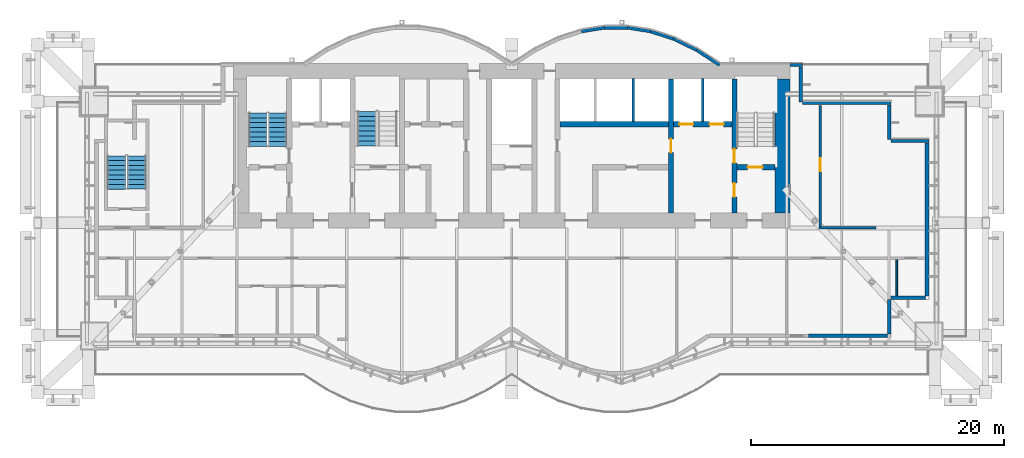
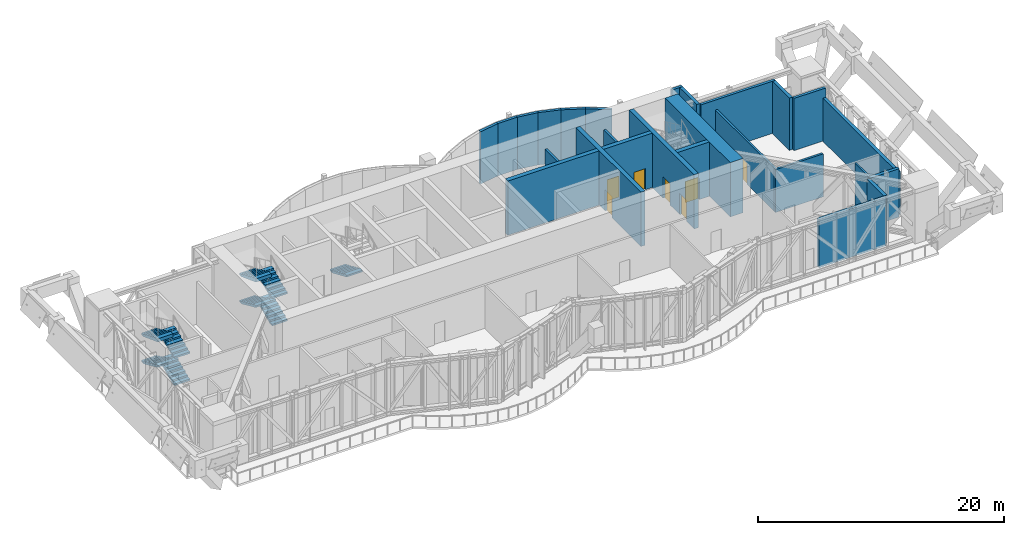
# One storey, part 16 of 20: 25 walls, 9 stair flights, 7 doors, 7 openings, 3 elements without a shape of their own.
"""IFC4 building model written with IfcOpenShell, lengths in metres."""

import ifcopenshell
import ifcopenshell.guid

model = None  # the IFC model being written
_history = None  # IfcOwnerHistory: only IFC2X3 demands one
_inside = {}  # id of a spatial element -> (the spatial element, [elements in it])
_under = {}  # id of a project, library or spatial element -> (it, [spatial elements below it])
_declared = {}  # id of a project -> (the project, [libraries it declares])
_typed = {}  # id of a type object -> (the type object, [elements of that type])
_made_of = {}  # id of a material, layer set ... -> (it, [elements and type objects made of it])


def new_model(schema):
    """Start an empty IFC model of exactly this schema.

    Asked for "IFC4X3", IfcOpenShell would pick the latest addendum, in which some entities
    have other attributes; the version numbers below select the first issue.
    IFC2X3 requires an IfcOwnerHistory on every rooted entity: one is made here for all.
    """
    global model, _history
    if schema == "IFC4X3":
        model = ifcopenshell.file(schema_version=(4, 3, 0, 0))
    else:
        model = ifcopenshell.file(schema=schema)
    _inside.clear()
    _under.clear()
    _declared.clear()
    _typed.clear()
    _made_of.clear()
    _history = None
    if model.schema == "IFC2X3":
        org = make("IfcOrganization", Name="unknown")
        user = make(
            "IfcPersonAndOrganization",
            ThePerson=make("IfcPerson", FamilyName="unknown"),
            TheOrganization=org,
        )
        app = make(
            "IfcApplication",
            ApplicationDeveloper=org,
            Version="unknown",
            ApplicationFullName="unknown",
            ApplicationIdentifier="unknown",
        )
        _history = make(
            "IfcOwnerHistory",
            OwningUser=user,
            OwningApplication=app,
            ChangeAction="ADDED",
            CreationDate=0,
        )
    return model


def make(cls, **values):
    """One entity of the class cls with the attributes given. An attribute that is None is left unset."""
    return model.create_entity(
        cls, **{name: value for name, value in values.items() if value is not None}
    )


def rooted(cls, **values):
    """An entity with a GlobalId (a new one), such as an element, a storey or a relation."""
    return make(cls, GlobalId=ifcopenshell.guid.new(), OwnerHistory=_history, **values)


def si_unit(unit_type, name, prefix=None):
    """IfcSIUnit, for example si_unit("LENGTHUNIT", "METRE", prefix="MILLI")."""
    return make("IfcSIUnit", UnitType=unit_type, Prefix=prefix, Name=name)


def assignment(units):
    """IfcUnitAssignment: the units of a project."""
    return None if units is None else make("IfcUnitAssignment", Units=units)


def point(xyz):
    """IfcCartesianPoint."""
    return None if xyz is None else make("IfcCartesianPoint", Coordinates=xyz)


def direction(xyz):
    """IfcDirection."""
    return None if xyz is None else make("IfcDirection", DirectionRatios=xyz)


def frame(location, z_axis=None, x_axis=None):
    """IfcAxis2Placement3D, a coordinate frame: its origin and axes. An axis left out is left unset."""
    return make(
        "IfcAxis2Placement3D",
        Location=point(location),
        Axis=direction(z_axis),
        RefDirection=direction(x_axis),
    )


def frame_2d(location, x_axis=None):
    """IfcAxis2Placement2D, a coordinate frame in the plane: its origin and x axis."""
    return make(
        "IfcAxis2Placement2D", Location=point(location), RefDirection=direction(x_axis)
    )


def origin():
    """The frame at (0, 0, 0) with its axes left unset."""
    return frame((0.0, 0.0, 0.0))


def place(relative_to, where):
    """IfcLocalPlacement: puts the frame where relative to a parent placement (None: the world)."""
    return make(
        "IfcLocalPlacement", PlacementRelTo=relative_to, RelativePlacement=where
    )


def context(
    kind, dimensions, precision=None, world=None, true_north=None, identifier=None
):
    """IfcGeometricRepresentationContext, for example the 3D "Model" context."""
    return make(
        "IfcGeometricRepresentationContext",
        ContextIdentifier=identifier,
        ContextType=kind,
        CoordinateSpaceDimension=dimensions,
        Precision=precision,
        WorldCoordinateSystem=world,
        TrueNorth=true_north,
    )


def subcontext(parent, identifier, kind, view, scale=None):
    """IfcGeometricRepresentationSubContext, for example "Body" below "Model"."""
    return make(
        "IfcGeometricRepresentationSubContext",
        ContextIdentifier=identifier,
        ContextType=kind,
        ParentContext=parent,
        TargetScale=scale,
        TargetView=view,
    )


def project(units=None, contexts=None):
    """IfcProject with its units and contexts."""
    return rooted(
        "IfcProject",
        Name="project",
        RepresentationContexts=contexts,
        UnitsInContext=assignment(units),
    )


def spatial(cls, under=None, at=None, **own):
    """A site, building, storey or space (cls), placed at a placement, below another one or the project."""
    s = rooted(cls, ObjectPlacement=at, **own)
    if under is not None:
        _under.setdefault(under.id(), (under, []))[1].append(s)
    return s


def polyline(points):
    """IfcPolyline through the points."""
    return make("IfcPolyline", Points=[point(p) for p in points])


def profile(cls, at=None, kind="AREA", **sizes):
    """A parametric profile (cls). Its sizes go by their IFC names, for example OverallWidth=200.0."""
    return make(cls, ProfileType=kind, Position=at, **sizes)


def rectangle(**sizes):
    """IfcRectangleProfileDef."""
    return profile("IfcRectangleProfileDef", **sizes)


def outline(outer, holes=None, kind="AREA"):
    """IfcArbitraryClosedProfileDef: a profile drawn as a closed curve; with holes, ...WithVoids."""
    if holes is None:
        return make("IfcArbitraryClosedProfileDef", ProfileType=kind, OuterCurve=outer)
    return make(
        "IfcArbitraryProfileDefWithVoids",
        ProfileType=kind,
        OuterCurve=outer,
        InnerCurves=holes,
    )


def extrude(swept, where, along, depth):
    """IfcExtrudedAreaSolid: the profile swept, set in the frame where, extruded along a direction by depth."""
    return make(
        "IfcExtrudedAreaSolid",
        SweptArea=swept,
        Position=where,
        ExtrudedDirection=direction(along),
        Depth=depth,
    )


def shape(context_of_items, identifier, shape_type, items):
    """IfcShapeRepresentation: the items that make up one representation, for example the "Body"."""
    return make(
        "IfcShapeRepresentation",
        ContextOfItems=context_of_items,
        RepresentationIdentifier=identifier,
        RepresentationType=shape_type,
        Items=items,
    )


def material(Name=None, Category=None):
    """IfcMaterial."""
    return make("IfcMaterial", Name=Name, Category=Category)


def layer(
    of_material, thickness, ventilated=None, Name=None, Category=None, Priority=None
):
    """IfcMaterialLayer: one layer of a wall or slab, of a material (None: an air gap)."""
    return make(
        "IfcMaterialLayer",
        Material=of_material,
        LayerThickness=thickness,
        IsVentilated=ventilated,
        Name=Name,
        Category=Category,
        Priority=Priority,
    )


def layer_set(layers, Name=None):
    """IfcMaterialLayerSet."""
    return make("IfcMaterialLayerSet", MaterialLayers=layers, LayerSetName=Name)


def layer_usage(for_layer_set, set_direction, sense, offset, extent=None):
    """IfcMaterialLayerSetUsage: how a layer set lies in its element."""
    return make(
        "IfcMaterialLayerSetUsage",
        ForLayerSet=for_layer_set,
        LayerSetDirection=set_direction,
        DirectionSense=sense,
        OffsetFromReferenceLine=offset,
        ReferenceExtent=extent,
    )


def made_of(thing, what):
    """Note that an element or type object is made of a material, layer set ...; save() writes the relation."""
    if what is not None:
        _made_of.setdefault(what.id(), (what, []))[1].append(thing)
    return thing


def type_object(cls, material=None, **own):
    """A type object (cls), such as IfcWallType, which elements share."""
    return made_of(rooted(cls, **own), material)


def element(
    cls,
    number,
    at=None,
    inside=None,
    cuts=None,
    type_object=None,
    material=None,
    context=None,
    identifier="Body",
    shape_type=None,
    held_by="IfcProductDefinitionShape",
    body=None,
    shapes=None,
    **own,
):
    """One element of the class cls, such as IfcWall. Its Tag is "e" and its number.

    at: its placement. inside: the storey or other place that contains it. cuts: it is an
    opening in that element (IfcRelVoidsElement). A single representation is given by context,
    identifier, shape_type and body (its items); several are given by shapes. held_by: the class
    of the entity that holds the representations. save() writes the other relations.
    """
    e = rooted(cls, Tag="e%d" % number, ObjectPlacement=at, **own)
    if body is not None:
        shapes = [shape(context, identifier, shape_type, body)]
    if shapes is not None:
        e.Representation = make(held_by, Representations=shapes)
    if inside is not None:
        _inside.setdefault(inside.id(), (inside, []))[1].append(e)
    if cuts is not None:
        rooted(
            "IfcRelVoidsElement", RelatingBuildingElement=cuts, RelatedOpeningElement=e
        )
    if type_object is not None:
        _typed.setdefault(type_object.id(), (type_object, []))[1].append(e)
    return made_of(e, material)


def fill(opening, filler):
    """IfcRelFillsElement: the door or window that sits in an opening."""
    return rooted(
        "IfcRelFillsElement",
        RelatingOpeningElement=opening,
        RelatedBuildingElement=filler,
    )


def aggregate(whole, parts):
    """IfcRelAggregates: a whole, such as a stair, and the parts it consists of."""
    return rooted("IfcRelAggregates", RelatingObject=whole, RelatedObjects=parts)


def save(model, path):
    """Write the relations noted so far, then the file.

    IfcRelAggregates (storeys below a building ...), IfcRelContainedInSpatialStructure (elements
    in a storey), IfcRelDefinesByType, IfcRelAssociatesMaterial and IfcRelDeclares: one each for
    every whole, place, type object, material and project.
    """
    for whole, parts in _under.values():
        aggregate(whole, parts)
    for where, things in _inside.values():
        rooted(
            "IfcRelContainedInSpatialStructure",
            RelatedElements=things,
            RelatingStructure=where,
        )
    for kind, things in _typed.values():
        rooted("IfcRelDefinesByType", RelatedObjects=things, RelatingType=kind)
    for what, things in _made_of.values():
        rooted("IfcRelAssociatesMaterial", RelatedObjects=things, RelatingMaterial=what)
    for by, libraries in _declared.values():
        rooted("IfcRelDeclares", RelatingContext=by, RelatedDefinitions=libraries)
    model.write(path)


model = new_model("IFC4")

# Units and contexts
model_context = context("Model", 3, precision=1e-05, world=origin(), true_north=direction((0.0, 1.0)))
body_context = subcontext(model_context, "Body", "Model", "MODEL_VIEW")
ifc_project = project(units=[si_unit("LENGTHUNIT", "METRE"), si_unit("AREAUNIT", "SQUARE_METRE"), si_unit("VOLUMEUNIT", "CUBIC_METRE"), si_unit("PLANEANGLEUNIT", "RADIAN"), si_unit("MASSUNIT", "GRAM", prefix="KILO")], contexts=[model_context])

# Site, building, storey
site_placement = place(None, origin())
site = spatial("IfcSite", under=ifc_project, at=site_placement, CompositionType="ELEMENT")
building_placement = place(site_placement, origin())
building = spatial("IfcBuilding", under=site, at=building_placement, Name="Bicima Exchange Tower", CompositionType="ELEMENT")
storey_placement = place(building_placement, frame((0.0, 0.0, 342.5)))
storey = spatial("IfcBuildingStorey", under=building, at=storey_placement, Name="L77", CompositionType="ELEMENT", Elevation=342.5)

# Walls
ifc_material_1 = material(Name="Gypsum board partition")
ifc_layer_1 = layer(ifc_material_1, 0.199951171875)
ifc_layer_set_1 = layer_set([ifc_layer_1], Name="Gypsum board partition")
wall_type_1 = type_object("IfcWallType", Name="Fire-rated gypsum partition 200 EI120", PredefinedType="PARTITIONING", material=ifc_layer_set_1)
for number, where, z_axis, x_axis, name in (
    (1, (9.60009765625, -4.60009765625, 0.0), (0.0, 0.0, 1.0), (0.0, 1.0, 0.0), "partition wall 21"),
    (2, (15.10009765625, -4.60009765625, 0.0), (0.0, 0.0, 1.0), (0.0, 1.0, 0.0), "partition wall 23"),
):
    element("IfcWall", number, at=place(storey_placement, frame(where, z_axis=z_axis, x_axis=x_axis)), inside=storey, type_object=wall_type_1, Name=name, PredefinedType="PARTITIONING", context=body_context, shape_type="SweptSolid", body=[
        extrude(rectangle(XDim=3.400146484375, YDim=0.199951171875, at=frame_2d((1.7001953125, 0.0))), origin(), (0.0, 0.0, 1.0), 4.268310546875),
    ])
ifc_layer_2 = layer(ifc_material_1, 0.199951171875)
ifc_layer_set_2 = layer_set([ifc_layer_2], Name="Gypsum board partition")
wall_type_2 = type_object("IfcWallType", Name="Fire-rated gypsum partition 200 EI60", PredefinedType="PARTITIONING", material=ifc_layer_set_2)
wall_1_placement = place(storey_placement, frame((24.300048828125, -13.0, 0.0), z_axis=(0.0, 0.0, 1.0), x_axis=(1.0, 0.0, 0.0)))
element("IfcWall", 3, at=wall_1_placement, inside=storey, type_object=wall_type_2, Name="partition wall 5", PredefinedType="PARTITIONING", context=body_context, shape_type="SweptSolid", body=[
    extrude(rectangle(XDim=4.5, YDim=0.199951171875, at=frame_2d((2.25, 0.0))), origin(), (0.0, 0.0, 1.0), 4.268310546875),
])

# Wall, opening, door
wall_2_placement = place(storey_placement, frame((24.39990234375, -12.89990234375, 0.0), z_axis=(0.0, 0.0, 1.0), x_axis=(0.0, 1.0, 0.0)))
wall_2 = element("IfcWall", 4, at=wall_2_placement, inside=storey, type_object=wall_type_2, Name="partition wall 20", PredefinedType="PARTITIONING", context=body_context, shape_type="SweptSolid", body=[
    extrude(rectangle(XDim=9.599853515625, YDim=0.199951171875, at=frame_2d((4.7998046875, 0.0))), origin(), (0.0, 0.0, 1.0), 4.268310546875),
])
opening_1_placement = place(wall_2_placement, frame((4.39990234375, 0.0, 0.0)))
opening_1 = element("IfcOpeningElement", 5, at=opening_1_placement, cuts=wall_2, Name="Opening L77-004", PredefinedType="OPENING", context=body_context, shape_type="SweptSolid", body=[
    extrude(rectangle(XDim=1.0, YDim=2.10009765625, at=frame_2d((0.5, 1.050048828125))), frame((0.0, 0.11181640625, 0.0), z_axis=(0.0, -1.0, 0.0), x_axis=(1.0, 0.0, 0.0)), (0.0, 0.0, 1.0), 0.223876953125),
])
ifc_material_2 = material(Name="Steel fire door leaf", Category="steel")
door_type_1 = type_object("IfcDoorType", Name="Door 1000 swing FD30S", OperationType="SINGLE_SWING_LEFT", PredefinedType="DOOR", material=ifc_material_2)
door_1_placement = place(opening_1_placement, frame((1.0, 0.0, 0.0), z_axis=(0.0, 0.0, 1.0), x_axis=(-1.0, 0.0, 0.0)))
door_1 = element("IfcDoor", 6, at=door_1_placement, inside=storey, type_object=door_type_1, Name="Door", OperationType="SINGLE_SWING_LEFT", OverallHeight=2.10009765625, OverallWidth=1.0, PredefinedType="DOOR", context=body_context, shape_type="SweptSolid", body=[
    extrude(rectangle(XDim=1.0, YDim=2.10009765625, at=frame_2d((0.5, 1.050048828125))), frame((0.0, 0.02490234375, 0.0), z_axis=(0.0, -1.0, 0.0), x_axis=(1.0, 0.0, 0.0)), (0.0, 0.0, 1.0), 0.050048828125),
])
fill(opening_1, door_1)

# Walls
ifc_layer_3 = layer(ifc_material_1, 0.14990234375)
ifc_layer_set_3 = layer_set([ifc_layer_3], Name="Gypsum board partition")
wall_type_3 = type_object("IfcWallType", Name="Gypsum partition 150", PredefinedType="PARTITIONING", material=ifc_layer_set_3)
wall_3_placement = place(storey_placement, frame((30.449951171875, -18.3798828125, 0.0), z_axis=(0.0, 0.0, 1.0), x_axis=(0.0, 1.0, 0.0)))
element("IfcWall", 7, at=wall_3_placement, inside=storey, type_object=wall_type_3, Name="partition wall 21", PredefinedType="PARTITIONING", context=body_context, shape_type="SweptSolid", body=[
    extrude(rectangle(XDim=2.8798828125, YDim=0.14990234375, at=frame_2d((1.43994140625, 0.0))), origin(), (0.0, 0.0, 1.0), 4.268310546875),
])
ifc_material_3 = material(Name="Concrete C40/50", Category="concrete")
ifc_layer_4 = layer(ifc_material_3, 1.199951171875)
ifc_layer_set_4 = layer_set([ifc_layer_4], Name="Concrete C40/50")
wall_type_4 = type_object("IfcWallType", Name="RC core wall 1200 C40/50", PredefinedType="SHEAR", material=ifc_layer_set_4)
wall_4_placement = place(storey_placement, frame((21.39990234375, -11.800048828125, 0.0), z_axis=(0.0, 0.0, 1.0), x_axis=(0.0, 1.0, 0.0)))
element("IfcWall", 8, at=wall_4_placement, inside=storey, type_object=wall_type_4, Name="Core wall east", PredefinedType="SHEAR", context=body_context, shape_type="SweptSolid", body=[
    extrude(rectangle(XDim=10.60009765625, YDim=1.199951171875, at=frame_2d((5.300048828125, 0.0))), origin(), (0.0, 0.0, 1.0), 5.39990234375),
])

# Wall, openings, doors
ifc_layer_5 = layer(ifc_material_3, 0.39990234375)
ifc_layer_set_5 = layer_set([ifc_layer_5], Name="Concrete C40/50")
wall_type_5 = type_object("IfcWallType", Name="RC core wall 400 C40/50", PredefinedType="SHEAR", material=ifc_layer_set_5)
wall_5_placement = place(storey_placement, frame((3.800048828125, -4.800048828125, 0.0), z_axis=(0.0, 0.0, 1.0), x_axis=(1.0, 0.0, 0.0)))
wall_5 = element("IfcWall", 9, at=wall_5_placement, inside=storey, type_object=wall_type_5, Name="shear wall 8", PredefinedType="SHEAR", context=body_context, shape_type="SweptSolid", body=[
    extrude(rectangle(XDim=13.599853515625, YDim=0.39990234375, at=frame_2d((6.7998046875, 0.0))), origin(), (0.0, 0.0, 1.0), 5.39990234375),
])
opening_2_placement = place(wall_5_placement, frame((9.449951171875, 0.0, 0.0)))
opening_2 = element("IfcOpeningElement", 10, at=opening_2_placement, cuts=wall_5, Name="Opening LD-FF2-L77", PredefinedType="OPENING", context=body_context, shape_type="SweptSolid", body=[
    extrude(rectangle(XDim=1.10009765625, YDim=2.10009765625, at=frame_2d((0.550048828125, 1.050048828125))), frame((0.0, 0.2119140625, 0.0), z_axis=(0.0, -1.0, 0.0), x_axis=(1.0, 0.0, 0.0)), (0.0, 0.0, 1.0), 0.423828125),
])
opening_3_placement = place(wall_5_placement, frame((11.85009765625, 0.0, 0.0)))
opening_3 = element("IfcOpeningElement", 11, at=opening_3_placement, cuts=wall_5, Name="Opening LD-SV1-L77", PredefinedType="OPENING", context=body_context, shape_type="SweptSolid", body=[
    extrude(rectangle(XDim=1.10009765625, YDim=2.10009765625, at=frame_2d((0.550048828125, 1.050048828125))), frame((0.0, 0.2119140625, 0.0), z_axis=(0.0, -1.0, 0.0), x_axis=(1.0, 0.0, 0.0)), (0.0, 0.0, 1.0), 0.423828125),
])
ifc_material_4 = material(Name="Stainless steel", Category="steel")
door_type_2 = type_object("IfcDoorType", Name="Lift landing door 1100 sliding", OperationType="DOUBLE_DOOR_SLIDING", PredefinedType="DOOR", material=ifc_material_4)
door_2_placement = place(opening_2_placement, origin())
door_2 = element("IfcDoor", 12, at=door_2_placement, inside=storey, type_object=door_type_2, Name="Lift landing door FF2", OperationType="DOUBLE_DOOR_SLIDING", OverallHeight=2.10009765625, OverallWidth=1.10009765625, PredefinedType="DOOR", context=body_context, shape_type="SweptSolid", body=[
    extrude(rectangle(XDim=1.10009765625, YDim=2.10009765625, at=frame_2d((0.550048828125, 1.050048828125))), frame((0.0, 0.02490234375, 0.0), z_axis=(0.0, -1.0, 0.0), x_axis=(1.0, 0.0, 0.0)), (0.0, 0.0, 1.0), 0.050048828125),
])
fill(opening_2, door_2)
door_3_placement = place(opening_3_placement, origin())
door_3 = element("IfcDoor", 13, at=door_3_placement, inside=storey, type_object=door_type_2, Name="Lift landing door SV1", OperationType="DOUBLE_DOOR_SLIDING", OverallHeight=2.10009765625, OverallWidth=1.10009765625, PredefinedType="DOOR", context=body_context, shape_type="SweptSolid", body=[
    extrude(rectangle(XDim=1.10009765625, YDim=2.10009765625, at=frame_2d((0.550048828125, 1.050048828125))), frame((0.0, 0.02490234375, 0.0), z_axis=(0.0, -1.0, 0.0), x_axis=(1.0, 0.0, 0.0)), (0.0, 0.0, 1.0), 0.050048828125),
])
fill(opening_3, door_3)

# Wall, opening, door
wall_6_placement = place(storey_placement, frame((12.60009765625, -11.800048828125, 0.0), z_axis=(0.0, 0.0, 1.0), x_axis=(0.0, 1.0, 0.0)))
wall_6 = element("IfcWall", 14, at=wall_6_placement, inside=storey, type_object=wall_type_5, Name="shear wall 22", PredefinedType="SHEAR", context=body_context, shape_type="SweptSolid", body=[
    extrude(rectangle(XDim=10.60009765625, YDim=0.39990234375, at=frame_2d((5.300048828125, 0.0))), origin(), (0.0, 0.0, 1.0), 5.39990234375),
])
opening_4_placement = place(wall_6_placement, frame((4.75, 0.0, 0.0)))
opening_4 = element("IfcOpeningElement", 15, at=opening_4_placement, cuts=wall_6, Name="Opening L77-C10", PredefinedType="OPENING", context=body_context, shape_type="SweptSolid", body=[
    extrude(rectangle(XDim=1.10009765625, YDim=2.10009765625, at=frame_2d((0.550048828125, 1.050048828125))), frame((0.0, 0.2119140625, 0.0), z_axis=(0.0, -1.0, 0.0), x_axis=(1.0, 0.0, 0.0)), (0.0, 0.0, 1.0), 0.423828125),
])
door_type_3 = type_object("IfcDoorType", Name="Door 1100 swing FD60S", OperationType="SINGLE_SWING_LEFT", PredefinedType="DOOR", material=ifc_material_2)
door_4_placement = place(opening_4_placement, frame((1.10009765625, 0.0, 0.0), z_axis=(0.0, 0.0, 1.0), x_axis=(-1.0, 0.0, 0.0)))
door_4 = element("IfcDoor", 16, at=door_4_placement, inside=storey, type_object=door_type_3, Name="Core door", OperationType="SINGLE_SWING_LEFT", OverallHeight=2.10009765625, OverallWidth=1.10009765625, PredefinedType="DOOR", context=body_context, shape_type="SweptSolid", body=[
    extrude(rectangle(XDim=1.10009765625, YDim=2.10009765625, at=frame_2d((0.550048828125, 1.050048828125))), frame((0.0, 0.02490234375, 0.0), z_axis=(0.0, -1.0, 0.0), x_axis=(1.0, 0.0, 0.0)), (0.0, 0.0, 1.0), 0.050048828125),
])
fill(opening_4, door_4)

ifc_material_5 = material(Name="Concrete C50/60", Category="concrete")
ifc_layer_6 = layer(ifc_material_5, 0.39990234375)
ifc_layer_set_6 = layer_set([ifc_layer_6], Name="Concrete C50/60")
wall_type_6 = type_object("IfcWallType", Name="RC core wall 400 C50/60", PredefinedType="SHEAR", material=ifc_layer_set_6)
wall_7_placement = place(storey_placement, frame((17.800048828125, -8.199951171875, 0.0), z_axis=(0.0, 0.0, 1.0), x_axis=(1.0, 0.0, 0.0)))
wall_7 = element("IfcWall", 17, at=wall_7_placement, inside=storey, type_object=wall_type_6, Name="stair wall 5", PredefinedType="SHEAR", context=body_context, shape_type="SweptSolid", body=[
    extrude(rectangle(XDim=3.0, YDim=0.39990234375, at=frame_2d((1.5, 0.0))), origin(), (0.0, 0.0, 1.0), 5.39990234375),
])
opening_5_placement = place(wall_7_placement, frame((0.85009765625, 0.0, 0.0)))
opening_5 = element("IfcOpeningElement", 18, at=opening_5_placement, cuts=wall_7, Name="Opening L77-C04", PredefinedType="OPENING", context=body_context, shape_type="SweptSolid", body=[
    extrude(rectangle(XDim=1.199951171875, YDim=2.10009765625, at=frame_2d((0.60009765625, 1.050048828125))), frame((0.0, 0.2119140625, 0.0), z_axis=(0.0, -1.0, 0.0), x_axis=(1.0, 0.0, 0.0)), (0.0, 0.0, 1.0), 0.423828125),
])
door_type_4 = type_object("IfcDoorType", Name="Door 1200 swing FD60S", OperationType="SINGLE_SWING_LEFT", PredefinedType="DOOR", material=ifc_material_2)
door_5_placement = place(opening_5_placement, origin())
door_5 = element("IfcDoor", 19, at=door_5_placement, inside=storey, type_object=door_type_4, Name="Core door", OperationType="SINGLE_SWING_RIGHT", OverallHeight=2.10009765625, OverallWidth=1.199951171875, PredefinedType="DOOR", context=body_context, shape_type="SweptSolid", body=[
    extrude(rectangle(XDim=1.199951171875, YDim=2.10009765625, at=frame_2d((0.60009765625, 1.050048828125))), frame((0.0, 0.02490234375, 0.0), z_axis=(0.0, -1.0, 0.0), x_axis=(1.0, 0.0, 0.0)), (0.0, 0.0, 1.0), 0.050048828125),
])
fill(opening_5, door_5)

# Wall, openings, doors
wall_8_placement = place(storey_placement, frame((17.60009765625, -11.800048828125, 0.0), z_axis=(0.0, 0.0, 1.0), x_axis=(0.0, 1.0, 0.0)))
wall_8 = element("IfcWall", 20, at=wall_8_placement, inside=storey, type_object=wall_type_6, Name="stair wall 24", PredefinedType="SHEAR", context=body_context, shape_type="SweptSolid", body=[
    extrude(rectangle(XDim=10.60009765625, YDim=0.39990234375, at=frame_2d((5.300048828125, 0.0))), origin(), (0.0, 0.0, 1.0), 5.39990234375),
])
opening_6_placement = place(wall_8_placement, frame((1.25, 0.0, 0.0)))
opening_6 = element("IfcOpeningElement", 21, at=opening_6_placement, cuts=wall_8, Name="Opening L77-C05", PredefinedType="OPENING", context=body_context, shape_type="SweptSolid", body=[
    extrude(rectangle(XDim=1.10009765625, YDim=2.10009765625, at=frame_2d((0.550048828125, 1.050048828125))), frame((0.0, 0.2119140625, 0.0), z_axis=(0.0, -1.0, 0.0), x_axis=(1.0, 0.0, 0.0)), (0.0, 0.0, 1.0), 0.423828125),
])
opening_7_placement = place(wall_8_placement, frame((3.949951171875, 0.0, 0.0)))
opening_7 = element("IfcOpeningElement", 22, at=opening_7_placement, cuts=wall_8, Name="Opening L77-C09", PredefinedType="OPENING", context=body_context, shape_type="SweptSolid", body=[
    extrude(rectangle(XDim=1.10009765625, YDim=2.10009765625, at=frame_2d((0.550048828125, 1.050048828125))), frame((0.0, 0.2119140625, 0.0), z_axis=(0.0, -1.0, 0.0), x_axis=(1.0, 0.0, 0.0)), (0.0, 0.0, 1.0), 0.423828125),
])
door_6_placement = place(opening_6_placement, origin())
door_6 = element("IfcDoor", 23, at=door_6_placement, inside=storey, type_object=door_type_3, Name="Core door", OperationType="SINGLE_SWING_LEFT", OverallHeight=2.10009765625, OverallWidth=1.10009765625, PredefinedType="DOOR", context=body_context, shape_type="SweptSolid", body=[
    extrude(rectangle(XDim=1.10009765625, YDim=2.10009765625, at=frame_2d((0.550048828125, 1.050048828125))), frame((0.0, 0.02490234375, 0.0), z_axis=(0.0, -1.0, 0.0), x_axis=(1.0, 0.0, 0.0)), (0.0, 0.0, 1.0), 0.050048828125),
])
fill(opening_6, door_6)
door_7_placement = place(opening_7_placement, origin())
door_7 = element("IfcDoor", 24, at=door_7_placement, inside=storey, type_object=door_type_3, Name="Core door", OperationType="SINGLE_SWING_LEFT", OverallHeight=2.10009765625, OverallWidth=1.10009765625, PredefinedType="DOOR", context=body_context, shape_type="SweptSolid", body=[
    extrude(rectangle(XDim=1.10009765625, YDim=2.10009765625, at=frame_2d((0.550048828125, 1.050048828125))), frame((0.0, 0.02490234375, 0.0), z_axis=(0.0, -1.0, 0.0), x_axis=(1.0, 0.0, 0.0)), (0.0, 0.0, 1.0), 0.050048828125),
])
fill(opening_7, door_7)

# Walls
ifc_layer_7 = layer(ifc_material_3, 0.25)
ifc_layer_set_7 = layer_set([ifc_layer_7], Name="Concrete C40/50")
ifc_layer_usage_1 = layer_usage(ifc_layer_set_7, "AXIS2", "POSITIVE", -0.125)
wall_type_7 = type_object("IfcWallType", Name="Rear backup wall 250", PredefinedType="STANDARD", material=ifc_layer_set_7)
wall_9_placement = place(storey_placement, frame((33.0, -6.125, 0.0), z_axis=(0.0, 0.0, 1.0), x_axis=(-1.0, 0.0, 0.0)))
element("IfcWall", 25, at=wall_9_placement, inside=storey, type_object=wall_type_7, material=ifc_layer_usage_1, Name="Rear backup wall L77 2", PredefinedType="STANDARD", context=body_context, shape_type="SweptSolid", body=[
    extrude(rectangle(XDim=3.0, YDim=0.25, at=frame_2d((1.5, 0.0))), origin(), (0.0, 0.0, 1.0), 5.199951171875),
])
wall_10_placement = place(storey_placement, frame((30.0, -3.125, 0.0), z_axis=(0.0, 0.0, 1.0), x_axis=(-1.0, 0.0, 0.0)))
element("IfcWall", 26, at=wall_10_placement, inside=storey, type_object=wall_type_7, material=ifc_layer_usage_1, Name="Rear backup wall L77 4", PredefinedType="STANDARD", context=body_context, shape_type="SweptSolid", body=[
    extrude(rectangle(XDim=7.0, YDim=0.25, at=frame_2d((3.5, 0.0))), origin(), (0.0, 0.0, 1.0), 5.199951171875),
])
wall_11_placement = place(storey_placement, frame((23.0, -0.125, 0.0), z_axis=(0.0, 0.0, 1.0), x_axis=(-1.0, 0.0, 0.0)))
element("IfcWall", 27, at=wall_11_placement, inside=storey, type_object=wall_type_7, material=ifc_layer_usage_1, Name="Rear backup wall L77 6", PredefinedType="STANDARD", context=body_context, shape_type="SweptSolid", body=[
    extrude(rectangle(XDim=1.0, YDim=0.25, at=frame_2d((0.5, 0.0))), origin(), (0.0, 0.0, 1.0), 5.199951171875),
])
wall_12_placement = place(storey_placement, frame((16.43212890625, -0.10498046875, 0.0), z_axis=(0.0, 0.0, 1.0), x_axis=(-0.83981312244, 0.542875602121, 0.0)))
element("IfcWall", 28, at=wall_12_placement, inside=storey, type_object=wall_type_7, material=ifc_layer_usage_1, Name="Rear backup wall L77 7", PredefinedType="STANDARD", context=body_context, shape_type="SweptSolid", body=[
    extrude(rectangle(XDim=2.182861328125, YDim=0.25, at=frame_2d((1.09130859375, 0.0))), origin(), (0.0, 0.0, 1.0), 5.199951171875),
])
wall_13_placement = place(storey_placement, frame((14.6123046875, 1.07275390625, 0.0), z_axis=(0.0, 0.0, 1.0), x_axis=(-0.89982408427, 0.436252928206, 0.0)))
element("IfcWall", 29, at=wall_13_placement, inside=storey, type_object=wall_type_7, material=ifc_layer_usage_1, Name="Rear backup wall L77 8", PredefinedType="STANDARD", context=body_context, shape_type="SweptSolid", body=[
    extrude(rectangle(XDim=2.03759765625, YDim=0.25, at=frame_2d((1.018798828125, 0.0))), origin(), (0.0, 0.0, 1.0), 5.199951171875),
])
wall_14_placement = place(storey_placement, frame((12.794921875, 1.955078125, 0.0), z_axis=(0.0, 0.0, 1.0), x_axis=(-0.951495806175, 0.307661714928, 0.0)))
element("IfcWall", 30, at=wall_14_placement, inside=storey, type_object=wall_type_7, material=ifc_layer_usage_1, Name="Rear backup wall L77 9", PredefinedType="STANDARD", context=body_context, shape_type="SweptSolid", body=[
    extrude(rectangle(XDim=1.9267578125, YDim=0.25, at=frame_2d((0.96337890625, 0.0))), origin(), (0.0, 0.0, 1.0), 5.199951171875),
])
wall_15_placement = place(storey_placement, frame((10.97998046875, 2.543212890625, 0.0), z_axis=(0.0, 0.0, 1.0), x_axis=(-0.987181718931, 0.159600293885, 0.0)))
element("IfcWall", 31, at=wall_15_placement, inside=storey, type_object=wall_type_7, material=ifc_layer_usage_1, Name="Rear backup wall L77 10", PredefinedType="STANDARD", context=body_context, shape_type="SweptSolid", body=[
    extrude(rectangle(XDim=1.857177734375, YDim=0.25, at=frame_2d((0.9287109375, 0.0))), origin(), (0.0, 0.0, 1.0), 5.199951171875),
])
wall_16_placement = place(storey_placement, frame((9.166748046875, 2.837890625, 0.0), z_axis=(0.0, 0.0, 1.0), x_axis=(-1.0, 0.0, 0.0)))
element("IfcWall", 32, at=wall_16_placement, inside=storey, type_object=wall_type_7, material=ifc_layer_usage_1, Name="Rear backup wall L77 11", PredefinedType="STANDARD", context=body_context, shape_type="SweptSolid", body=[
    extrude(rectangle(XDim=1.83349609375, YDim=0.25, at=frame_2d((0.916748046875, 0.0))), origin(), (0.0, 0.0, 1.0), 5.199951171875),
])
wall_17_placement = place(storey_placement, frame((7.353271484375, 2.839599609375, 0.0), z_axis=(0.0, 0.0, 1.0), x_axis=(-0.987181718931, -0.159600293885, 0.0)))
element("IfcWall", 33, at=wall_17_placement, inside=storey, type_object=wall_type_7, material=ifc_layer_usage_1, Name="Rear backup wall L77 12", PredefinedType="STANDARD", context=body_context, shape_type="SweptSolid", body=[
    extrude(rectangle(XDim=1.857177734375, YDim=0.25, at=frame_2d((0.9287109375, 0.0))), origin(), (0.0, 0.0, 1.0), 5.199951171875),
])
ifc_layer_8 = layer(ifc_material_3, 0.3)
ifc_layer_set_8 = layer_set([ifc_layer_8], Name="Concrete C40/50")
ifc_layer_usage_2 = layer_usage(ifc_layer_set_8, "AXIS2", "POSITIVE", -0.15)
wall_type_8 = type_object("IfcWallType", Name="Refuge band wall 300", PredefinedType="STANDARD", material=ifc_layer_set_8)
wall_18_placement = place(storey_placement, frame((32.85009765625, -18.400146484375, 0.0), z_axis=(0.0, 0.0, 1.0), x_axis=(0.0, 1.0, 0.0)))
element("IfcWall", 34, at=wall_18_placement, inside=storey, type_object=wall_type_8, material=ifc_layer_usage_2, Name="Refuge band wall L77", PredefinedType="STANDARD", context=body_context, shape_type="SweptSolid", body=[
    extrude(rectangle(XDim=12.124267578125, YDim=0.300048828125, at=frame_2d((6.06201171875, 0.0))), origin(), (0.0, 0.0, 1.0), 4.2880859375),
])
for number, where, z_axis, x_axis, name in (
    (35, (29.85009765625, -6.024169921875, 0.0), (0.0, 0.0, 1.0), (0.0, 1.0, 0.0), "Refuge band wall L77"),
    (36, (22.85009765625, -3.024169921875, 0.0), (0.0, 0.0, 1.0), (0.0, 1.0, 0.0), "Refuge band wall L77"),
):
    element("IfcWall", number, at=place(storey_placement, frame(where, z_axis=z_axis, x_axis=x_axis)), inside=storey, type_object=wall_type_8, material=ifc_layer_usage_2, Name=name, PredefinedType="STANDARD", context=body_context, shape_type="SweptSolid", body=[
        extrude(rectangle(XDim=2.748291015625, YDim=0.300048828125, at=frame_2d((1.3740234375, 0.0))), origin(), (0.0, 0.0, 1.0), 5.199951171875),
    ])
wall_19_placement = place(storey_placement, frame((23.449951171875, -21.52587890625, 0.0), z_axis=(0.0, 0.0, 1.0), x_axis=(1.0, 0.0, 0.0)))
element("IfcWall", 37, at=wall_19_placement, inside=storey, type_object=wall_type_8, material=ifc_layer_usage_2, Name="Refuge band wall L77", PredefinedType="STANDARD", context=body_context, shape_type="SweptSolid", body=[
    extrude(rectangle(XDim=6.274169921875, YDim=0.300048828125, at=frame_2d((3.13720703125, 0.0))), origin(), (0.0, 0.0, 1.0), 4.796142578125),
])
for number, where, z_axis, x_axis, name in (
    (38, (29.85009765625, -21.400146484375, 0.0), (0.0, 0.0, 1.0), (0.0, 1.0, 0.0), "Refuge band wall L77"),
    (39, (29.975830078125, -18.52587890625, 0.0), (0.0, 0.0, 1.0), (1.0, 0.0, 0.0), "Refuge band wall L77"),
):
    element("IfcWall", number, at=place(storey_placement, frame(where, z_axis=z_axis, x_axis=x_axis)), inside=storey, type_object=wall_type_8, material=ifc_layer_usage_2, Name=name, PredefinedType="STANDARD", context=body_context, shape_type="SweptSolid", body=[
        extrude(rectangle(XDim=2.748291015625, YDim=0.300048828125, at=frame_2d((1.3740234375, 0.0))), origin(), (0.0, 0.0, 1.0), 4.796142578125),
    ])

# Stair, stair flights
stair_type_1 = type_object("IfcStairType", Name="Exit stair", PredefinedType="HALF_TURN_STAIR", material=ifc_material_5)
stair_1_placement = place(storey_placement, origin())
stair_1 = element("IfcStair", 40, at=stair_1_placement, inside=storey, type_object=stair_type_1, Name="L77 West exit stair", PredefinedType="HALF_TURN_STAIR")
stair_flight_type_1 = type_object("IfcStairFlightType", Name="Stair flight RC", PredefinedType="STRAIGHT", material=ifc_material_5)
stair_flight_1_placement = place(storey_placement, frame((-18.52490234375, -6.550048828125, 0.0), z_axis=(0.0, 0.0, 1.0), x_axis=(0.0, 1.0, 0.0)))
stair_flight_1 = element("IfcStairFlight", 41, at=stair_flight_1_placement, type_object=stair_flight_type_1, Name="ST-W flight 1", NumberOfRisers=8, NumberOfTreads=7, PredefinedType="STRAIGHT", RiserHeight=0.16875, TreadLength=0.375714286, context=body_context, shape_type="SweptSolid", body=[
    extrude(outline(polyline([(0.0, 0.0), (0.0, 0.168701171875), (0.375732421875, 0.168701171875), (0.375732421875, 0.33740234375), (0.75146484375, 0.33740234375), (0.75146484375, 0.50634765625), (1.127197265625, 0.50634765625), (1.127197265625, 0.675048828125), (1.5029296875, 0.675048828125), (1.5029296875, 0.84375), (1.878662109375, 0.84375), (1.878662109375, 1.012451171875), (2.25439453125, 1.012451171875), (2.25439453125, 1.18115234375), (2.6298828125, 1.18115234375), (2.6298828125, 1.35009765625), (2.6298828125, 1.016845703125), (0.365966796875, 0.0), (0.0, 0.0)])), frame((0.0, 0.72509765625, 0.0), z_axis=(0.0, -1.0, 0.0), x_axis=(1.0, 0.0, 0.0)), (0.0, 0.0, 1.0), 1.449951171875),
])
stair_flight_2_placement = place(storey_placement, frame((-20.074951171875, -3.919921875, 1.35009765625), z_axis=(0.0, 0.0, 1.0), x_axis=(0.0, -1.0, 0.0)))
stair_flight_2 = element("IfcStairFlight", 42, at=stair_flight_2_placement, type_object=stair_flight_type_1, Name="ST-W flight 2", NumberOfRisers=8, NumberOfTreads=7, PredefinedType="STRAIGHT", RiserHeight=0.16875, TreadLength=0.375714286, context=body_context, shape_type="SweptSolid", body=[
    extrude(outline(polyline([(0.0, 0.0), (0.0, 0.168701171875), (0.375732421875, 0.168701171875), (0.375732421875, 0.33740234375), (0.75146484375, 0.33740234375), (0.75146484375, 0.50634765625), (1.127197265625, 0.50634765625), (1.127197265625, 0.675048828125), (1.5029296875, 0.675048828125), (1.5029296875, 0.84375), (1.878662109375, 0.84375), (1.878662109375, 1.012451171875), (2.25439453125, 1.012451171875), (2.25439453125, 1.18115234375), (2.6298828125, 1.18115234375), (2.6298828125, 1.35009765625), (2.6298828125, 1.016845703125), (0.365966796875, 0.0), (0.0, 0.0)])), frame((0.0, 0.72509765625, 0.0), z_axis=(0.0, -1.0, 0.0), x_axis=(1.0, 0.0, 0.0)), (0.0, 0.0, 1.0), 1.449951171875),
])
stair_flight_3_placement = place(storey_placement, frame((-18.52490234375, -6.550048828125, 2.699951171875), z_axis=(0.0, 0.0, 1.0), x_axis=(0.0, 1.0, 0.0)))
stair_flight_3 = element("IfcStairFlight", 43, at=stair_flight_3_placement, type_object=stair_flight_type_1, Name="ST-W flight 3", NumberOfRisers=8, NumberOfTreads=7, PredefinedType="STRAIGHT", RiserHeight=0.16875, TreadLength=0.375714286, context=body_context, shape_type="SweptSolid", body=[
    extrude(outline(polyline([(0.0, 0.0), (0.0, 0.168701171875), (0.375732421875, 0.168701171875), (0.375732421875, 0.33740234375), (0.75146484375, 0.33740234375), (0.75146484375, 0.50634765625), (1.127197265625, 0.50634765625), (1.127197265625, 0.675048828125), (1.5029296875, 0.675048828125), (1.5029296875, 0.84375), (1.878662109375, 0.84375), (1.878662109375, 1.012451171875), (2.25439453125, 1.012451171875), (2.25439453125, 1.18115234375), (2.6298828125, 1.18115234375), (2.6298828125, 1.35009765625), (2.6298828125, 1.016845703125), (0.365966796875, 0.0), (0.0, 0.0)])), frame((0.0, 0.72509765625, 0.0), z_axis=(0.0, -1.0, 0.0), x_axis=(1.0, 0.0, 0.0)), (0.0, 0.0, 1.0), 1.449951171875),
])
stair_flight_4_placement = place(storey_placement, frame((-20.074951171875, -3.919921875, 4.050048828125), z_axis=(0.0, 0.0, 1.0), x_axis=(0.0, -1.0, 0.0)))
stair_flight_4 = element("IfcStairFlight", 44, at=stair_flight_4_placement, type_object=stair_flight_type_1, Name="ST-W flight 4", NumberOfRisers=8, NumberOfTreads=7, PredefinedType="STRAIGHT", RiserHeight=0.16875, TreadLength=0.375714286, context=body_context, shape_type="SweptSolid", body=[
    extrude(outline(polyline([(0.0, 0.0), (0.0, 0.168701171875), (0.375732421875, 0.168701171875), (0.375732421875, 0.33740234375), (0.75146484375, 0.33740234375), (0.75146484375, 0.50634765625), (1.127197265625, 0.50634765625), (1.127197265625, 0.675048828125), (1.5029296875, 0.675048828125), (1.5029296875, 0.84375), (1.878662109375, 0.84375), (1.878662109375, 1.012451171875), (2.25439453125, 1.012451171875), (2.25439453125, 1.18115234375), (2.6298828125, 1.18115234375), (2.64501953125, 1.18115234375), (2.64501953125, 0.85498046875), (0.365966796875, 0.0), (0.0, 0.0)])), frame((0.0, 0.72509765625, 0.0), z_axis=(0.0, -1.0, 0.0), x_axis=(1.0, 0.0, 0.0)), (0.0, 0.0, 1.0), 1.449951171875),
])
aggregate(stair_1, [stair_flight_1, stair_flight_2, stair_flight_3, stair_flight_4])

stair_2_placement = place(storey_placement, origin())
stair_2 = element("IfcStair", 45, at=stair_2_placement, inside=storey, type_object=stair_type_1, Name="L77 West end exit stair", PredefinedType="HALF_TURN_STAIR")
stair_flight_5_placement = place(storey_placement, frame((-29.64990234375, -9.925048828125, 0.0), z_axis=(0.0, 0.0, 1.0), x_axis=(0.0, 1.0, 0.0)))
stair_flight_5 = element("IfcStairFlight", 46, at=stair_flight_5_placement, type_object=stair_flight_type_1, Name="ST-WW flight 1", NumberOfRisers=8, NumberOfTreads=7, PredefinedType="STRAIGHT", RiserHeight=0.16875, TreadLength=0.375714286, context=body_context, shape_type="SweptSolid", body=[
    extrude(outline(polyline([(0.0, 0.0), (0.0, 0.168701171875), (0.375732421875, 0.168701171875), (0.375732421875, 0.33740234375), (0.75146484375, 0.33740234375), (0.75146484375, 0.50634765625), (1.127197265625, 0.50634765625), (1.127197265625, 0.675048828125), (1.5029296875, 0.675048828125), (1.5029296875, 0.84375), (1.878662109375, 0.84375), (1.878662109375, 1.012451171875), (2.25439453125, 1.012451171875), (2.25439453125, 1.18115234375), (2.6298828125, 1.18115234375), (2.6298828125, 1.35009765625), (2.6298828125, 1.016845703125), (0.365966796875, 0.0), (0.0, 0.0)])), frame((0.0, 0.72509765625, 0.0), z_axis=(0.0, -1.0, 0.0), x_axis=(1.0, 0.0, 0.0)), (0.0, 0.0, 1.0), 1.449951171875),
])
stair_flight_6_placement = place(storey_placement, frame((-31.25, -7.294921875, 1.35009765625), z_axis=(0.0, 0.0, 1.0), x_axis=(0.0, -1.0, 0.0)))
stair_flight_6 = element("IfcStairFlight", 47, at=stair_flight_6_placement, type_object=stair_flight_type_1, Name="ST-WW flight 2", NumberOfRisers=8, NumberOfTreads=7, PredefinedType="STRAIGHT", RiserHeight=0.16875, TreadLength=0.375714286, context=body_context, shape_type="SweptSolid", body=[
    extrude(outline(polyline([(0.0, 0.0), (0.0, 0.168701171875), (0.375732421875, 0.168701171875), (0.375732421875, 0.33740234375), (0.75146484375, 0.33740234375), (0.75146484375, 0.50634765625), (1.127197265625, 0.50634765625), (1.127197265625, 0.675048828125), (1.5029296875, 0.675048828125), (1.5029296875, 0.84375), (1.878662109375, 0.84375), (1.878662109375, 1.012451171875), (2.25439453125, 1.012451171875), (2.25439453125, 1.18115234375), (2.6298828125, 1.18115234375), (2.6298828125, 1.35009765625), (2.6298828125, 1.016845703125), (0.365966796875, 0.0), (0.0, 0.0)])), frame((0.0, 0.72509765625, 0.0), z_axis=(0.0, -1.0, 0.0), x_axis=(1.0, 0.0, 0.0)), (0.0, 0.0, 1.0), 1.449951171875),
])
stair_flight_7_placement = place(storey_placement, frame((-29.64990234375, -9.925048828125, 2.699951171875), z_axis=(0.0, 0.0, 1.0), x_axis=(0.0, 1.0, 0.0)))
stair_flight_7 = element("IfcStairFlight", 48, at=stair_flight_7_placement, type_object=stair_flight_type_1, Name="ST-WW flight 3", NumberOfRisers=8, NumberOfTreads=7, PredefinedType="STRAIGHT", RiserHeight=0.16875, TreadLength=0.375714286, context=body_context, shape_type="SweptSolid", body=[
    extrude(outline(polyline([(0.0, 0.0), (0.0, 0.168701171875), (0.375732421875, 0.168701171875), (0.375732421875, 0.33740234375), (0.75146484375, 0.33740234375), (0.75146484375, 0.50634765625), (1.127197265625, 0.50634765625), (1.127197265625, 0.675048828125), (1.5029296875, 0.675048828125), (1.5029296875, 0.84375), (1.878662109375, 0.84375), (1.878662109375, 1.012451171875), (2.25439453125, 1.012451171875), (2.25439453125, 1.18115234375), (2.6298828125, 1.18115234375), (2.6298828125, 1.35009765625), (2.6298828125, 1.016845703125), (0.365966796875, 0.0), (0.0, 0.0)])), frame((0.0, 0.72509765625, 0.0), z_axis=(0.0, -1.0, 0.0), x_axis=(1.0, 0.0, 0.0)), (0.0, 0.0, 1.0), 1.449951171875),
])
stair_flight_8_placement = place(storey_placement, frame((-31.25, -7.294921875, 4.050048828125), z_axis=(0.0, 0.0, 1.0), x_axis=(0.0, -1.0, 0.0)))
stair_flight_8 = element("IfcStairFlight", 49, at=stair_flight_8_placement, type_object=stair_flight_type_1, Name="ST-WW flight 4", NumberOfRisers=8, NumberOfTreads=7, PredefinedType="STRAIGHT", RiserHeight=0.16875, TreadLength=0.375714286, context=body_context, shape_type="SweptSolid", body=[
    extrude(outline(polyline([(0.0, 0.0), (0.0, 0.168701171875), (0.375732421875, 0.168701171875), (0.375732421875, 0.33740234375), (0.75146484375, 0.33740234375), (0.75146484375, 0.50634765625), (1.127197265625, 0.50634765625), (1.127197265625, 0.675048828125), (1.5029296875, 0.675048828125), (1.5029296875, 0.84375), (1.878662109375, 0.84375), (1.878662109375, 1.012451171875), (2.25439453125, 1.012451171875), (2.25439453125, 1.18115234375), (2.6298828125, 1.18115234375), (2.64501953125, 1.18115234375), (2.64501953125, 0.85498046875), (0.365966796875, 0.0), (0.0, 0.0)])), frame((0.0, 0.72509765625, 0.0), z_axis=(0.0, -1.0, 0.0), x_axis=(1.0, 0.0, 0.0)), (0.0, 0.0, 1.0), 1.449951171875),
])
aggregate(stair_2, [stair_flight_5, stair_flight_6, stair_flight_7, stair_flight_8])

# Stair, stair flight
stair_type_2 = type_object("IfcStairType", Name="Exit stair 1500", PredefinedType="HALF_TURN_STAIR", material=ifc_material_5)
stair_3_placement = place(storey_placement, origin())
stair_3 = element("IfcStair", 50, at=stair_3_placement, inside=storey, type_object=stair_type_2, Name="L77 Crown exit stair", PredefinedType="HALF_TURN_STAIR")
stair_flight_type_2 = type_object("IfcStairFlightType", Name="Stair flight RC 1500", PredefinedType="STRAIGHT", material=ifc_material_5)
stair_flight_9_placement = place(storey_placement, frame((-11.47509765625, -3.780029296875, 1.35009765625), z_axis=(0.0, 0.0, 1.0), x_axis=(0.0, -1.0, 0.0)))
stair_flight_9 = element("IfcStairFlight", 51, at=stair_flight_9_placement, type_object=stair_flight_type_2, Name="ST-CR flight 2", NumberOfRisers=8, NumberOfTreads=7, PredefinedType="STRAIGHT", RiserHeight=0.16875, TreadLength=0.388571429, context=body_context, shape_type="SweptSolid", body=[
    extrude(outline(polyline([(0.0, 0.0), (0.0, 0.168701171875), (0.388671875, 0.168701171875), (0.388671875, 0.33740234375), (0.777099609375, 0.33740234375), (0.777099609375, 0.50634765625), (1.165771484375, 0.50634765625), (1.165771484375, 0.675048828125), (1.55419921875, 0.675048828125), (1.55419921875, 0.84375), (1.94287109375, 0.84375), (1.94287109375, 1.012451171875), (2.33154296875, 1.012451171875), (2.33154296875, 1.18115234375), (2.719970703125, 1.18115234375), (2.719970703125, 1.35009765625), (2.719970703125, 1.017822265625), (0.376220703125, 0.0), (0.0, 0.0)])), frame((0.0, 0.75, 0.0), z_axis=(0.0, -1.0, 0.0), x_axis=(1.0, 0.0, 0.0)), (0.0, 0.0, 1.0), 1.5),
])
aggregate(stair_3, [stair_flight_9])

save(model, "model.ifc")
